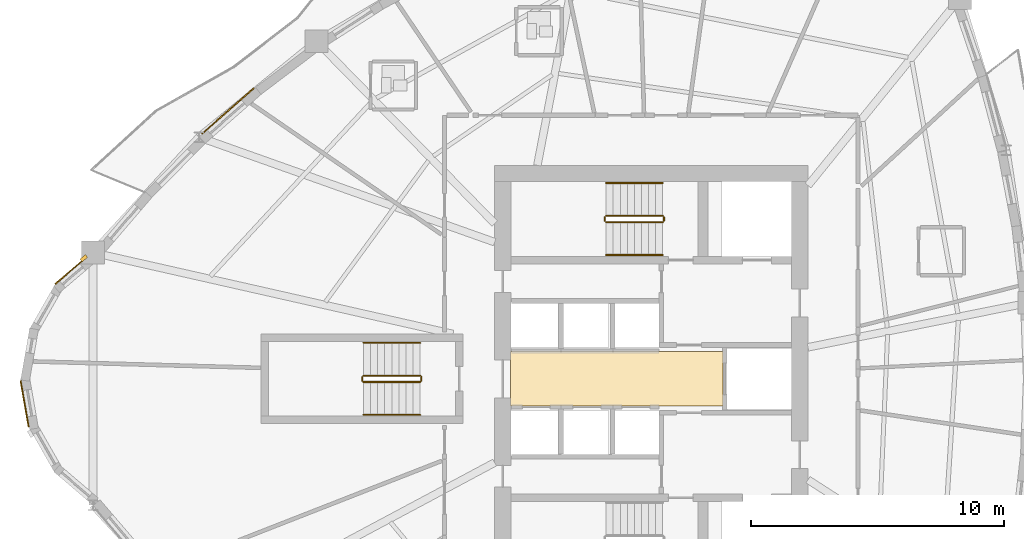
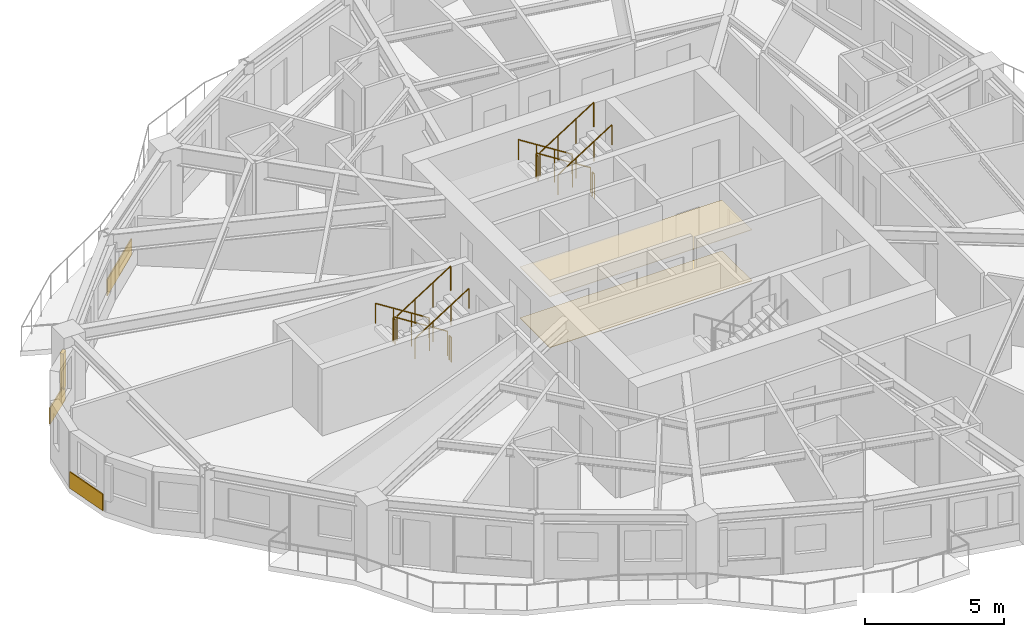
# One storey, part 10 of 12: 12 railings, 5 coverings, 1 shading device.
"""IFC4 building model written with IfcOpenShell, lengths in metres."""

from ifc_helpers import new_model, si_unit, direction, frame, origin, origin_2d, place, context, subcontext, project, spatial, polyline, rectangle, circle, outline, extrude, source, transform, mapped, material, layer, layer_set, type_object, element, save


model = new_model("IFC4")

# Units and contexts
model_context = context("Model", 3, precision=1e-05, world=origin(), true_north=direction((0.0, 1.0)))
body_context = subcontext(model_context, "Body", "Model", "MODEL_VIEW")
ifc_project = project(units=[si_unit("LENGTHUNIT", "METRE"), si_unit("AREAUNIT", "SQUARE_METRE"), si_unit("VOLUMEUNIT", "CUBIC_METRE"), si_unit("PLANEANGLEUNIT", "RADIAN"), si_unit("MASSUNIT", "GRAM", prefix="KILO")], contexts=[model_context])

# Site, building, storey
site_placement = place(None, origin())
site = spatial("IfcSite", under=ifc_project, at=site_placement, CompositionType="ELEMENT")
building_placement = place(site_placement, origin())
building = spatial("IfcBuilding", under=site, at=building_placement, Name="Qafzar Sky-Pleat Residences", CompositionType="ELEMENT")
storey_placement = place(building_placement, frame((0.0, 0.0, 76.800048828125)))
storey = spatial("IfcBuildingStorey", under=building, at=storey_placement, Name="L22", CompositionType="ELEMENT", Elevation=76.800048828125)

# Coverings
ifc_material_1 = material(Name="Perforated acoustic gypsum board ceiling")
ifc_layer_1 = layer(ifc_material_1, 0.02001953125)
ifc_layer_set_1 = layer_set([ifc_layer_1], Name="Perforated acoustic gypsum board ceiling")
covering_type_1 = type_object("IfcCoveringType", Name="COV-CEIL-ACOUSTIC", PredefinedType="CEILING", material=ifc_layer_set_1)
covering_1_placement = place(storey_placement, frame((0.0, 0.0, 2.239990234375)))
element("IfcCovering", 1, at=covering_1_placement, inside=storey, type_object=covering_type_1, Name="L22 Passenger Lift Lobby Acoustic Ceiling", PredefinedType="CEILING", context=body_context, shape_type="SweptSolid", body=[
    extrude(outline(polyline([(33.179931640625, 24.919921875), (24.77001953125, 24.919921875), (24.77001953125, 27.080078125), (33.179931640625, 27.080078125), (33.179931640625, 24.919921875)])), origin(), (0.0, 0.0, 1.0), 0.02001953125),
])
ifc_material_2 = material(Name="Honed porcelain and Riyadh stone tile flooring", Category="masonry")
ifc_layer_2 = layer(ifc_material_2, 0.02001953125)
ifc_layer_set_2 = layer_set([ifc_layer_2], Name="Honed porcelain and Riyadh stone tile flooring")
covering_type_2 = type_object("IfcCoveringType", Name="COV-FLR-PORCELAIN", PredefinedType="FLOORING", material=ifc_layer_set_2)
covering_2_placement = place(storey_placement, origin())
element("IfcCovering", 2, at=covering_2_placement, inside=storey, type_object=covering_type_2, Name="L22 Passenger Lift Lobby Honed Stone Flooring", PredefinedType="FLOORING", context=body_context, shape_type="SweptSolid", body=[
    extrude(outline(polyline([(33.179931640625, 24.919921875), (24.77001953125, 24.919921875), (24.77001953125, 27.080078125), (33.179931640625, 27.080078125), (33.179931640625, 24.919921875)])), origin(), (0.0, 0.0, 1.0), 0.02001953125),
])

# Shading device
ifc_material_3 = material(Name="Honed Riyadh limestone solar fin", Category="masonry")
ifc_layer_3 = layer(ifc_material_3, 0.139892578125)
ifc_layer_set_3 = layer_set([ifc_layer_3], Name="Honed Riyadh limestone solar fin")
shading_device_type = type_object("IfcShadingDeviceType", Name="SHD-FIN-STONE", PredefinedType="SHUTTER", material=ifc_layer_set_3)
shared_shape_1 = source(origin(), body_context, "Body", "SweptSolid", [
    extrude(rectangle(XDim=0.139892578125, YDim=0.280029296875, at=origin_2d()), origin(), (0.0, 0.0, 1.0), 1.60009765625),
])
shading_device_placement = place(storey_placement, frame((7.893798828125, 30.773681640625, 0.599853515625), z_axis=(0.0, 0.0, 1.0), x_axis=(-0.648553503037, 0.761169070377, 0.0)))
element("IfcShadingDevice", 3, at=shading_device_placement, inside=storey, type_object=shading_device_type, Name="L22 Limestone Solar Fin 1", PredefinedType="SHUTTER", context=body_context, shape_type="MappedRepresentation", body=[
    mapped(shared_shape_1, transform((0.0, 0.0, 0.0), x_axis=(1.0, 0.0, 0.0), y_axis=(0.0, 1.0, 0.0), z_axis=(0.0, 0.0, 1.0), scale=1.0)),
])

# Coverings
ifc_material_4 = material(Name="Honed Riyadh Tuwaiq limestone cladding", Category="masonry")
ifc_layer_4 = layer(ifc_material_4, 0.044921875)
ifc_layer_set_4 = layer_set([ifc_layer_4], Name="Honed Riyadh Tuwaiq limestone cladding")
covering_type_3 = type_object("IfcCoveringType", Name="COV-CLAD-STONE", PredefinedType="CLADDING", material=ifc_layer_set_4)
shared_shape_2 = source(origin(), body_context, "Body", "SweptSolid", [
    extrude(rectangle(XDim=1.629150390625, YDim=0.044921875, at=origin_2d()), origin(), (0.0, 0.0, 1.0), 0.719970703125),
])
covering_3_placement = place(storey_placement, frame((7.38134765625, 30.280517578125, 0.02001953125), z_axis=(0.0, 0.0, 1.0), x_axis=(-0.761160395249, -0.648563684386, 0.0)))
element("IfcCovering", 4, at=covering_3_placement, inside=storey, type_object=covering_type_3, Name="L22 Riyadh Limestone Spandrel Cladding 1", PredefinedType="CLADDING", context=body_context, shape_type="MappedRepresentation", body=[
    mapped(shared_shape_2, transform((0.0, 0.0, 0.0), x_axis=(1.0, 0.0, 0.0), y_axis=(0.0, 1.0, 0.0), z_axis=(0.0, 0.0, 1.0), scale=1.0)),
])
shared_shape_3 = source(origin(), body_context, "Body", "SweptSolid", [
    extrude(rectangle(XDim=1.86572265625, YDim=0.044921875, at=origin_2d()), origin(), (0.0, 0.0, 1.0), 0.719970703125),
])
covering_4_placement = place(storey_placement, frame((5.551513671875, 25.0126953125, 0.02001953125), z_axis=(0.0, 0.0, 1.0), x_axis=(0.172161515838, -0.985068734893, 0.0)))
element("IfcCovering", 5, at=covering_4_placement, inside=storey, type_object=covering_type_3, Name="L22 Riyadh Limestone Spandrel Cladding 4", PredefinedType="CLADDING", context=body_context, shape_type="MappedRepresentation", body=[
    mapped(shared_shape_3, transform((0.0, 0.0, 0.0), x_axis=(1.0, 0.0, 0.0), y_axis=(0.0, 1.0, 0.0), z_axis=(0.0, 0.0, 1.0), scale=1.0)),
])
shared_shape_4 = source(origin(), body_context, "Body", "SweptSolid", [
    extrude(rectangle(XDim=2.734130859375, YDim=0.044921875, at=origin_2d()), origin(), (0.0, 0.0, 1.0), 0.719970703125),
])
covering_5_placement = place(storey_placement, frame((13.593505859375, 36.595703125, 0.02001953125), z_axis=(0.0, 0.0, 1.0), x_axis=(-0.751517441634, -0.659713221725, 0.0)))
element("IfcCovering", 6, at=covering_5_placement, inside=storey, type_object=covering_type_3, Name="L22 Riyadh Limestone Spandrel Cladding 46", PredefinedType="CLADDING", context=body_context, shape_type="MappedRepresentation", body=[
    mapped(shared_shape_4, transform((0.0, 0.0, 0.0), x_axis=(1.0, 0.0, 0.0), y_axis=(0.0, 1.0, 0.0), z_axis=(0.0, 0.0, 1.0), scale=1.0)),
])

# Railings
ifc_material_5 = material(Name="Painted Steel S355 stair guardrail", Category="steel")
railing_type_1 = type_object("IfcRailingType", Name="RAIL-STAIR-GUARD", PredefinedType="GUARDRAIL", material=ifc_material_5)
shared_shape_5 = source(origin(), body_context, "Body", "SweptSolid", [
    extrude(circle(Radius=0.02392578125, at=origin_2d()), frame((0.0, 0.0, 1.076171875), z_axis=(0.0, -1.0, 0.0), x_axis=(1.0, 0.0, 0.0)), (0.0, 0.0, 1.0), 0.14990234375),
    extrude(circle(Radius=0.02099609375, at=origin_2d()), origin(), (0.0, 0.0, 1.0), 1.052001953125),
    extrude(circle(Radius=0.02099609375, at=origin_2d()), frame((0.0, -0.14990234375, 0.0)), (0.0, 0.0, 1.0), 1.052001953125),
])
for number, where, name in (
    (7, (28.510009765625, 32.39990234375, 1.599853515625), "L22 ST2 stair guard 2"),
    (8, (30.85009765625, 32.39990234375, 0.0), "L22 ST2 stair guard 4"),
    (9, (18.909912109375, 26.074951171875, 1.599853515625), "L22 ST3 stair guard 2"),
    (10, (21.25, 26.074951171875, 0.0), "L22 ST3 stair guard 4"),
):
    element("IfcRailing", number, at=place(storey_placement, frame(where)), inside=storey, type_object=railing_type_1, Name=name, PredefinedType="GUARDRAIL", context=body_context, shape_type="MappedRepresentation", body=[
        mapped(shared_shape_5, transform((0.0, 0.0, 0.0), x_axis=(1.0, 0.0, 0.0), y_axis=(0.0, 1.0, 0.0), z_axis=(0.0, 0.0, 1.0), scale=1.0)),
    ])
shared_shape_6 = source(origin(), body_context, "Body", "SweptSolid", [
    extrude(circle(Radius=0.02392578125, at=origin_2d()), frame((0.0, 0.0, 1.076171875), z_axis=(-0.8442293374, 0.0, 0.53598211339), x_axis=(0.0, -1.0, 0.0)), (0.0, 0.0, 1.0), 2.6533203125),
    extrude(circle(Radius=0.02099609375, at=origin_2d()), origin(), (0.0, 0.0, 1.0), 1.052001953125),
    extrude(circle(Radius=0.02099609375, at=origin_2d()), frame((-0.74658203125, 0.0, 0.47412109375)), (0.0, 0.0, 1.0), 1.052001953125),
    extrude(circle(Radius=0.02099609375, at=origin_2d()), frame((-1.493408203125, 0.0, 0.947998046875)), (0.0, 0.0, 1.0), 1.052001953125),
    extrude(circle(Radius=0.02099609375, at=origin_2d()), frame((-2.239990234375, 0.0, 1.422119140625)), (0.0, 0.0, 1.0), 1.052001953125),
])
for number, where, name in (
    (11, (30.800048828125, 32.449951171875, 0.177734375), "L22 ST2 stair guard 1"),
    (12, (21.199951171875, 26.125, 0.177734375), "L22 ST3 stair guard 1"),
):
    element("IfcRailing", number, at=place(storey_placement, frame(where)), inside=storey, type_object=railing_type_1, Name=name, PredefinedType="GUARDRAIL", context=body_context, shape_type="MappedRepresentation", body=[
        mapped(shared_shape_6, transform((0.0, 0.0, 0.0), x_axis=(1.0, 0.0, 0.0), y_axis=(0.0, 1.0, 0.0), z_axis=(0.0, 0.0, 1.0), scale=1.0)),
    ])
shared_shape_7 = source(origin(), body_context, "Body", "SweptSolid", [
    extrude(circle(Radius=0.02392578125, at=origin_2d()), frame((0.0, 0.0, 1.076171875), z_axis=(0.8442293374, 0.0, 0.53598211339), x_axis=(0.0, 1.0, 0.0)), (0.0, 0.0, 1.0), 2.6533203125),
    extrude(circle(Radius=0.02099609375, at=origin_2d()), origin(), (0.0, 0.0, 1.0), 1.052001953125),
    extrude(circle(Radius=0.02099609375, at=origin_2d()), frame((0.74658203125, 0.0, 0.47412109375)), (0.0, 0.0, 1.0), 1.052001953125),
    extrude(circle(Radius=0.02099609375, at=origin_2d()), frame((1.493408203125, 0.0, 0.947998046875)), (0.0, 0.0, 1.0), 1.052001953125),
    extrude(circle(Radius=0.02099609375, at=origin_2d()), frame((2.239990234375, 0.0, 1.422119140625)), (0.0, 0.0, 1.0), 1.052001953125),
])
for number, where, name in (
    (13, (28.56005859375, 32.199951171875, 1.77783203125), "L22 ST2 stair guard 3"),
    (14, (18.9599609375, 25.875, 1.77783203125), "L22 ST3 stair guard 3"),
):
    element("IfcRailing", number, at=place(storey_placement, frame(where)), inside=storey, type_object=railing_type_1, Name=name, PredefinedType="GUARDRAIL", context=body_context, shape_type="MappedRepresentation", body=[
        mapped(shared_shape_7, transform((0.0, 0.0, 0.0), x_axis=(1.0, 0.0, 0.0), y_axis=(0.0, 1.0, 0.0), z_axis=(0.0, 0.0, 1.0), scale=1.0)),
    ])
ifc_material_6 = material(Name="Brushed stainless steel handrail", Category="steel")
railing_type_2 = type_object("IfcRailingType", Name="RAIL-STAIR-HAND", PredefinedType="HANDRAIL", material=ifc_material_6)
shared_shape_8 = source(origin(), body_context, "Body", "SweptSolid", [
    extrude(circle(Radius=0.02392578125, at=origin_2d()), frame((0.0, 0.0, 0.8759765625), z_axis=(-0.8442293374, 0.0, 0.53598211339), x_axis=(0.0, -1.0, 0.0)), (0.0, 0.0, 1.0), 2.6533203125),
    extrude(circle(Radius=0.02099609375, at=origin_2d()), origin(), (0.0, 0.0, 1.0), 0.851806640625),
    extrude(circle(Radius=0.02099609375, at=origin_2d()), frame((-0.74658203125, 0.0, 0.47412109375)), (0.0, 0.0, 1.0), 0.851806640625),
    extrude(circle(Radius=0.02099609375, at=origin_2d()), frame((-1.493408203125, 0.0, 0.947998046875)), (0.0, 0.0, 1.0), 0.851806640625),
    extrude(circle(Radius=0.02099609375, at=origin_2d()), frame((-2.239990234375, 0.0, 1.422119140625)), (0.0, 0.0, 1.0), 0.851806640625),
])
for number, where, name in (
    (15, (30.800048828125, 33.75, 0.177734375), "L22 ST2 stair handrail 1"),
    (16, (21.199951171875, 27.425048828125, 0.177734375), "L22 ST3 stair handrail 1"),
):
    element("IfcRailing", number, at=place(storey_placement, frame(where)), inside=storey, type_object=railing_type_2, Name=name, PredefinedType="HANDRAIL", context=body_context, shape_type="MappedRepresentation", body=[
        mapped(shared_shape_8, transform((0.0, 0.0, 0.0), x_axis=(1.0, 0.0, 0.0), y_axis=(0.0, 1.0, 0.0), z_axis=(0.0, 0.0, 1.0), scale=1.0)),
    ])
shared_shape_9 = source(origin(), body_context, "Body", "SweptSolid", [
    extrude(circle(Radius=0.02392578125, at=origin_2d()), frame((0.0, 0.0, 0.8759765625), z_axis=(0.8442293374, 0.0, 0.53598211339), x_axis=(0.0, 1.0, 0.0)), (0.0, 0.0, 1.0), 2.6533203125),
    extrude(circle(Radius=0.02099609375, at=origin_2d()), origin(), (0.0, 0.0, 1.0), 0.851806640625),
    extrude(circle(Radius=0.02099609375, at=origin_2d()), frame((0.74658203125, 0.0, 0.47412109375)), (0.0, 0.0, 1.0), 0.851806640625),
    extrude(circle(Radius=0.02099609375, at=origin_2d()), frame((1.493408203125, 0.0, 0.947998046875)), (0.0, 0.0, 1.0), 0.851806640625),
    extrude(circle(Radius=0.02099609375, at=origin_2d()), frame((2.239990234375, 0.0, 1.422119140625)), (0.0, 0.0, 1.0), 0.851806640625),
])
for number, where, name in (
    (17, (28.56005859375, 30.89990234375, 1.77783203125), "L22 ST2 stair handrail 2"),
    (18, (18.9599609375, 24.574951171875, 1.77783203125), "L22 ST3 stair handrail 2"),
):
    element("IfcRailing", number, at=place(storey_placement, frame(where)), inside=storey, type_object=railing_type_2, Name=name, PredefinedType="HANDRAIL", context=body_context, shape_type="MappedRepresentation", body=[
        mapped(shared_shape_9, transform((0.0, 0.0, 0.0), x_axis=(1.0, 0.0, 0.0), y_axis=(0.0, 1.0, 0.0), z_axis=(0.0, 0.0, 1.0), scale=1.0)),
    ])

save(model, "model.ifc")
